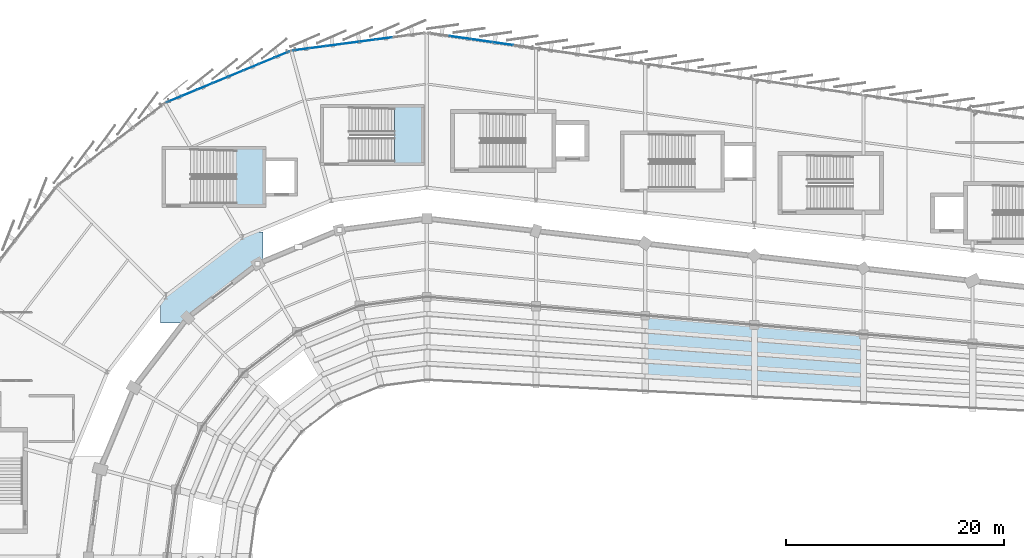
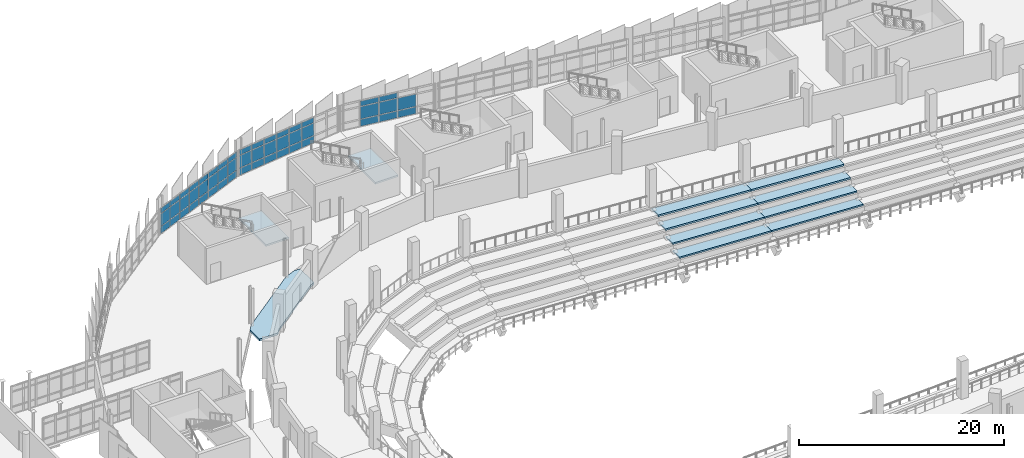
# One storey, part 94 of 134: 50 plates, 11 slabs, 5 elements without a shape of their own.
"""IFC4 building model written with IfcOpenShell, lengths in metres."""

import ifcopenshell
import ifcopenshell.guid

model = None  # the IFC model being written
_history = None  # IfcOwnerHistory: only IFC2X3 demands one
_inside = {}  # id of a spatial element -> (the spatial element, [elements in it])
_under = {}  # id of a project, library or spatial element -> (it, [spatial elements below it])
_declared = {}  # id of a project -> (the project, [libraries it declares])
_typed = {}  # id of a type object -> (the type object, [elements of that type])
_made_of = {}  # id of a material, layer set ... -> (it, [elements and type objects made of it])


def new_model(schema):
    """Start an empty IFC model of exactly this schema.

    Asked for "IFC4X3", IfcOpenShell would pick the latest addendum, in which some entities
    have other attributes; the version numbers below select the first issue.
    IFC2X3 requires an IfcOwnerHistory on every rooted entity: one is made here for all.
    """
    global model, _history
    if schema == "IFC4X3":
        model = ifcopenshell.file(schema_version=(4, 3, 0, 0))
    else:
        model = ifcopenshell.file(schema=schema)
    _inside.clear()
    _under.clear()
    _declared.clear()
    _typed.clear()
    _made_of.clear()
    _history = None
    if model.schema == "IFC2X3":
        org = make("IfcOrganization", Name="unknown")
        user = make(
            "IfcPersonAndOrganization",
            ThePerson=make("IfcPerson", FamilyName="unknown"),
            TheOrganization=org,
        )
        app = make(
            "IfcApplication",
            ApplicationDeveloper=org,
            Version="unknown",
            ApplicationFullName="unknown",
            ApplicationIdentifier="unknown",
        )
        _history = make(
            "IfcOwnerHistory",
            OwningUser=user,
            OwningApplication=app,
            ChangeAction="ADDED",
            CreationDate=0,
        )
    return model


def make(cls, **values):
    """One entity of the class cls with the attributes given. An attribute that is None is left unset."""
    return model.create_entity(
        cls, **{name: value for name, value in values.items() if value is not None}
    )


def rooted(cls, **values):
    """An entity with a GlobalId (a new one), such as an element, a storey or a relation."""
    return make(cls, GlobalId=ifcopenshell.guid.new(), OwnerHistory=_history, **values)


def si_unit(unit_type, name, prefix=None):
    """IfcSIUnit, for example si_unit("LENGTHUNIT", "METRE", prefix="MILLI")."""
    return make("IfcSIUnit", UnitType=unit_type, Prefix=prefix, Name=name)


def assignment(units):
    """IfcUnitAssignment: the units of a project."""
    return None if units is None else make("IfcUnitAssignment", Units=units)


def point(xyz):
    """IfcCartesianPoint."""
    return None if xyz is None else make("IfcCartesianPoint", Coordinates=xyz)


def direction(xyz):
    """IfcDirection."""
    return None if xyz is None else make("IfcDirection", DirectionRatios=xyz)


def frame(location, z_axis=None, x_axis=None):
    """IfcAxis2Placement3D, a coordinate frame: its origin and axes. An axis left out is left unset."""
    return make(
        "IfcAxis2Placement3D",
        Location=point(location),
        Axis=direction(z_axis),
        RefDirection=direction(x_axis),
    )


def frame_2d(location, x_axis=None):
    """IfcAxis2Placement2D, a coordinate frame in the plane: its origin and x axis."""
    return make(
        "IfcAxis2Placement2D", Location=point(location), RefDirection=direction(x_axis)
    )


def origin():
    """The frame at (0, 0, 0) with its axes left unset."""
    return frame((0.0, 0.0, 0.0))


def origin_2d():
    """The frame at (0, 0) in the plane with its x axis left unset."""
    return frame_2d((0.0, 0.0))


def place(relative_to, where):
    """IfcLocalPlacement: puts the frame where relative to a parent placement (None: the world)."""
    return make(
        "IfcLocalPlacement", PlacementRelTo=relative_to, RelativePlacement=where
    )


def context(
    kind, dimensions, precision=None, world=None, true_north=None, identifier=None
):
    """IfcGeometricRepresentationContext, for example the 3D "Model" context."""
    return make(
        "IfcGeometricRepresentationContext",
        ContextIdentifier=identifier,
        ContextType=kind,
        CoordinateSpaceDimension=dimensions,
        Precision=precision,
        WorldCoordinateSystem=world,
        TrueNorth=true_north,
    )


def subcontext(parent, identifier, kind, view, scale=None):
    """IfcGeometricRepresentationSubContext, for example "Body" below "Model"."""
    return make(
        "IfcGeometricRepresentationSubContext",
        ContextIdentifier=identifier,
        ContextType=kind,
        ParentContext=parent,
        TargetScale=scale,
        TargetView=view,
    )


def project(units=None, contexts=None):
    """IfcProject with its units and contexts."""
    return rooted(
        "IfcProject",
        Name="project",
        RepresentationContexts=contexts,
        UnitsInContext=assignment(units),
    )


def spatial(cls, under=None, at=None, **own):
    """A site, building, storey or space (cls), placed at a placement, below another one or the project."""
    s = rooted(cls, ObjectPlacement=at, **own)
    if under is not None:
        _under.setdefault(under.id(), (under, []))[1].append(s)
    return s


def polyline(points):
    """IfcPolyline through the points."""
    return make("IfcPolyline", Points=[point(p) for p in points])


def profile(cls, at=None, kind="AREA", **sizes):
    """A parametric profile (cls). Its sizes go by their IFC names, for example OverallWidth=200.0."""
    return make(cls, ProfileType=kind, Position=at, **sizes)


def rectangle(**sizes):
    """IfcRectangleProfileDef."""
    return profile("IfcRectangleProfileDef", **sizes)


def outline(outer, holes=None, kind="AREA"):
    """IfcArbitraryClosedProfileDef: a profile drawn as a closed curve; with holes, ...WithVoids."""
    if holes is None:
        return make("IfcArbitraryClosedProfileDef", ProfileType=kind, OuterCurve=outer)
    return make(
        "IfcArbitraryProfileDefWithVoids",
        ProfileType=kind,
        OuterCurve=outer,
        InnerCurves=holes,
    )


def extrude(swept, where, along, depth):
    """IfcExtrudedAreaSolid: the profile swept, set in the frame where, extruded along a direction by depth."""
    return make(
        "IfcExtrudedAreaSolid",
        SweptArea=swept,
        Position=where,
        ExtrudedDirection=direction(along),
        Depth=depth,
    )


def shape(context_of_items, identifier, shape_type, items):
    """IfcShapeRepresentation: the items that make up one representation, for example the "Body"."""
    return make(
        "IfcShapeRepresentation",
        ContextOfItems=context_of_items,
        RepresentationIdentifier=identifier,
        RepresentationType=shape_type,
        Items=items,
    )


def material(Name=None, Category=None):
    """IfcMaterial."""
    return make("IfcMaterial", Name=Name, Category=Category)


def layer(
    of_material, thickness, ventilated=None, Name=None, Category=None, Priority=None
):
    """IfcMaterialLayer: one layer of a wall or slab, of a material (None: an air gap)."""
    return make(
        "IfcMaterialLayer",
        Material=of_material,
        LayerThickness=thickness,
        IsVentilated=ventilated,
        Name=Name,
        Category=Category,
        Priority=Priority,
    )


def layer_set(layers, Name=None):
    """IfcMaterialLayerSet."""
    return make("IfcMaterialLayerSet", MaterialLayers=layers, LayerSetName=Name)


def made_of(thing, what):
    """Note that an element or type object is made of a material, layer set ...; save() writes the relation."""
    if what is not None:
        _made_of.setdefault(what.id(), (what, []))[1].append(thing)
    return thing


def type_object(cls, material=None, **own):
    """A type object (cls), such as IfcWallType, which elements share."""
    return made_of(rooted(cls, **own), material)


def element(
    cls,
    number,
    at=None,
    inside=None,
    cuts=None,
    type_object=None,
    material=None,
    context=None,
    identifier="Body",
    shape_type=None,
    held_by="IfcProductDefinitionShape",
    body=None,
    shapes=None,
    **own,
):
    """One element of the class cls, such as IfcWall. Its Tag is "e" and its number.

    at: its placement. inside: the storey or other place that contains it. cuts: it is an
    opening in that element (IfcRelVoidsElement). A single representation is given by context,
    identifier, shape_type and body (its items); several are given by shapes. held_by: the class
    of the entity that holds the representations. save() writes the other relations.
    """
    e = rooted(cls, Tag="e%d" % number, ObjectPlacement=at, **own)
    if body is not None:
        shapes = [shape(context, identifier, shape_type, body)]
    if shapes is not None:
        e.Representation = make(held_by, Representations=shapes)
    if inside is not None:
        _inside.setdefault(inside.id(), (inside, []))[1].append(e)
    if cuts is not None:
        rooted(
            "IfcRelVoidsElement", RelatingBuildingElement=cuts, RelatedOpeningElement=e
        )
    if type_object is not None:
        _typed.setdefault(type_object.id(), (type_object, []))[1].append(e)
    return made_of(e, material)


def aggregate(whole, parts):
    """IfcRelAggregates: a whole, such as a stair, and the parts it consists of."""
    return rooted("IfcRelAggregates", RelatingObject=whole, RelatedObjects=parts)


def save(model, path):
    """Write the relations noted so far, then the file.

    IfcRelAggregates (storeys below a building ...), IfcRelContainedInSpatialStructure (elements
    in a storey), IfcRelDefinesByType, IfcRelAssociatesMaterial and IfcRelDeclares: one each for
    every whole, place, type object, material and project.
    """
    for whole, parts in _under.values():
        aggregate(whole, parts)
    for where, things in _inside.values():
        rooted(
            "IfcRelContainedInSpatialStructure",
            RelatedElements=things,
            RelatingStructure=where,
        )
    for kind, things in _typed.values():
        rooted("IfcRelDefinesByType", RelatedObjects=things, RelatingType=kind)
    for what, things in _made_of.values():
        rooted("IfcRelAssociatesMaterial", RelatedObjects=things, RelatingMaterial=what)
    for by, libraries in _declared.values():
        rooted("IfcRelDeclares", RelatingContext=by, RelatedDefinitions=libraries)
    model.write(path)


model = new_model("IFC4")

# Units and contexts
model_context = context("Model", 3, precision=1e-05, world=origin(), true_north=direction((0.0, 1.0)))
body_context = subcontext(model_context, "Body", "Model", "MODEL_VIEW")
ifc_project = project(units=[si_unit("LENGTHUNIT", "METRE"), si_unit("AREAUNIT", "SQUARE_METRE"), si_unit("VOLUMEUNIT", "CUBIC_METRE"), si_unit("PLANEANGLEUNIT", "RADIAN"), si_unit("MASSUNIT", "GRAM", prefix="KILO")], contexts=[model_context])

# Site, building, storey
site_placement = place(None, origin())
site = spatial("IfcSite", under=ifc_project, at=site_placement, CompositionType="ELEMENT")
building_placement = place(site_placement, origin())
building = spatial("IfcBuilding", under=site, at=building_placement, Name="Sohan Crest Arena", CompositionType="ELEMENT")
storey_placement = place(building_placement, frame((0.0, 0.0, 4.5)))
storey = spatial("IfcBuildingStorey", under=building, at=storey_placement, Name="L01", CompositionType="ELEMENT", Elevation=4.5)

# Curtain wall, plates
ifc_material_1 = material(Name="Thermally broken anodised aluminium", Category="aluminium")
ifc_layer_1 = layer(ifc_material_1, 0.179931640625, Name="Thermally broken anodised aluminium")
ifc_layer_set_1 = layer_set([ifc_layer_1], Name="Thermally broken anodised aluminium")
curtain_wall_type_1 = type_object("IfcCurtainWallType", Name="ARC-CW01", PredefinedType="NOTDEFINED", material=ifc_layer_set_1)
curtain_wall_1_placement = place(storey_placement, origin())
curtain_wall_1 = element("IfcCurtainWall", 1, at=curtain_wall_1_placement, inside=storey, type_object=curtain_wall_type_1, Name="Unitised curtain wall CW-020", PredefinedType="NOTDEFINED")
ifc_material_2 = material(Name="Low-E double-glazed insulated glass", Category="glass")
ifc_layer_2 = layer(ifc_material_2, 0.028076171875, Name="Low-E double-glazed insulated glass")
ifc_layer_set_2 = layer_set([ifc_layer_2], Name="Low-E double-glazed insulated glass")
plate_type_1 = type_object("IfcPlateType", Name="ARC-CNP01", PredefinedType="CURTAIN_PANEL", material=ifc_layer_set_2)
plate_1_placement = place(storey_placement, frame((94.0693359375, 125.482421875, 0.06005859375), z_axis=(0.0, 0.0, 1.0), x_axis=(-0.991440142438, -0.130562031094, 0.0)))
plate_1 = element("IfcPlate", 2, at=plate_1_placement, type_object=plate_type_1, Name="CW-020 panel 3.1", PredefinedType="CURTAIN_PANEL", context=body_context, shape_type="SweptSolid", body=[
    extrude(rectangle(XDim=1.4736328125, YDim=0.028076171875, at=origin_2d()), origin(), (0.0, 0.0, 1.0), 0.81005859375),
])
plate_2_placement = place(storey_placement, frame((94.0693359375, 125.482421875, 0.929931640625), z_axis=(0.0, 0.0, 1.0), x_axis=(-0.991440142438, -0.130562031094, 0.0)))
plate_2 = element("IfcPlate", 3, at=plate_2_placement, type_object=plate_type_1, Name="CW-020 panel 3.2", PredefinedType="CURTAIN_PANEL", context=body_context, shape_type="SweptSolid", body=[
    extrude(rectangle(XDim=1.4736328125, YDim=0.028076171875, at=origin_2d()), origin(), (0.0, 0.0, 1.0), 1.4599609375),
])
plate_3_placement = place(storey_placement, frame((94.0693359375, 125.482421875, 2.44970703125), z_axis=(0.0, 0.0, 1.0), x_axis=(-0.991440142438, -0.130562031094, 0.0)))
plate_3 = element("IfcPlate", 4, at=plate_3_placement, type_object=plate_type_1, Name="CW-020 panel 3.3", PredefinedType="CURTAIN_PANEL", context=body_context, shape_type="SweptSolid", body=[
    extrude(rectangle(XDim=1.4736328125, YDim=0.028076171875, at=origin_2d()), origin(), (0.0, 0.0, 1.0), 0.610107421875),
])
plate_4_placement = place(storey_placement, frame((92.548828125, 125.2822265625, 0.06005859375), z_axis=(0.0, 0.0, 1.0), x_axis=(-0.991440142438, -0.130562031094, 0.0)))
plate_4 = element("IfcPlate", 5, at=plate_4_placement, type_object=plate_type_1, Name="CW-020 panel 4.1", PredefinedType="CURTAIN_PANEL", context=body_context, shape_type="SweptSolid", body=[
    extrude(rectangle(XDim=1.4736328125, YDim=0.028076171875, at=origin_2d()), origin(), (0.0, 0.0, 1.0), 0.81005859375),
])
plate_5_placement = place(storey_placement, frame((92.548828125, 125.2822265625, 0.929931640625), z_axis=(0.0, 0.0, 1.0), x_axis=(-0.991440142438, -0.130562031094, 0.0)))
plate_5 = element("IfcPlate", 6, at=plate_5_placement, type_object=plate_type_1, Name="CW-020 panel 4.2", PredefinedType="CURTAIN_PANEL", context=body_context, shape_type="SweptSolid", body=[
    extrude(rectangle(XDim=1.4736328125, YDim=0.028076171875, at=origin_2d()), origin(), (0.0, 0.0, 1.0), 1.4599609375),
])
plate_6_placement = place(storey_placement, frame((92.548828125, 125.2822265625, 2.44970703125), z_axis=(0.0, 0.0, 1.0), x_axis=(-0.991440142438, -0.130562031094, 0.0)))
plate_6 = element("IfcPlate", 7, at=plate_6_placement, type_object=plate_type_1, Name="CW-020 panel 4.3", PredefinedType="CURTAIN_PANEL", context=body_context, shape_type="SweptSolid", body=[
    extrude(rectangle(XDim=1.4736328125, YDim=0.028076171875, at=origin_2d()), origin(), (0.0, 0.0, 1.0), 0.610107421875),
])
plate_7_placement = place(storey_placement, frame((91.028076171875, 125.081787109375, 0.06005859375), z_axis=(0.0, 0.0, 1.0), x_axis=(-0.991440142438, -0.130562031094, 0.0)))
plate_7 = element("IfcPlate", 8, at=plate_7_placement, type_object=plate_type_1, Name="CW-020 panel 5.1", PredefinedType="CURTAIN_PANEL", context=body_context, shape_type="SweptSolid", body=[
    extrude(rectangle(XDim=1.4736328125, YDim=0.028076171875, at=origin_2d()), origin(), (0.0, 0.0, 1.0), 0.81005859375),
])
plate_8_placement = place(storey_placement, frame((91.028076171875, 125.081787109375, 0.929931640625), z_axis=(0.0, 0.0, 1.0), x_axis=(-0.991440142438, -0.130562031094, 0.0)))
plate_8 = element("IfcPlate", 9, at=plate_8_placement, type_object=plate_type_1, Name="CW-020 panel 5.2", PredefinedType="CURTAIN_PANEL", context=body_context, shape_type="SweptSolid", body=[
    extrude(rectangle(XDim=1.4736328125, YDim=0.028076171875, at=origin_2d()), origin(), (0.0, 0.0, 1.0), 1.4599609375),
])
plate_9_placement = place(storey_placement, frame((91.028076171875, 125.081787109375, 2.44970703125), z_axis=(0.0, 0.0, 1.0), x_axis=(-0.991440142438, -0.130562031094, 0.0)))
plate_9 = element("IfcPlate", 10, at=plate_9_placement, type_object=plate_type_1, Name="CW-020 panel 5.3", PredefinedType="CURTAIN_PANEL", context=body_context, shape_type="SweptSolid", body=[
    extrude(rectangle(XDim=1.4736328125, YDim=0.028076171875, at=origin_2d()), origin(), (0.0, 0.0, 1.0), 0.610107421875),
])
plate_10_placement = place(storey_placement, frame((89.507568359375, 124.881591796875, 0.06005859375), z_axis=(0.0, 0.0, 1.0), x_axis=(-0.991440142438, -0.130562031094, 0.0)))
plate_10 = element("IfcPlate", 11, at=plate_10_placement, type_object=plate_type_1, Name="CW-020 panel 6.1", PredefinedType="CURTAIN_PANEL", context=body_context, shape_type="SweptSolid", body=[
    extrude(rectangle(XDim=1.4736328125, YDim=0.028076171875, at=origin_2d()), origin(), (0.0, 0.0, 1.0), 0.81005859375),
])
plate_11_placement = place(storey_placement, frame((89.507568359375, 124.881591796875, 0.929931640625), z_axis=(0.0, 0.0, 1.0), x_axis=(-0.991440142438, -0.130562031094, 0.0)))
plate_11 = element("IfcPlate", 12, at=plate_11_placement, type_object=plate_type_1, Name="CW-020 panel 6.2", PredefinedType="CURTAIN_PANEL", context=body_context, shape_type="SweptSolid", body=[
    extrude(rectangle(XDim=1.4736328125, YDim=0.028076171875, at=origin_2d()), origin(), (0.0, 0.0, 1.0), 1.4599609375),
])
plate_12_placement = place(storey_placement, frame((89.507568359375, 124.881591796875, 2.44970703125), z_axis=(0.0, 0.0, 1.0), x_axis=(-0.991440142438, -0.130562031094, 0.0)))
plate_12 = element("IfcPlate", 13, at=plate_12_placement, type_object=plate_type_1, Name="CW-020 panel 6.3", PredefinedType="CURTAIN_PANEL", context=body_context, shape_type="SweptSolid", body=[
    extrude(rectangle(XDim=1.4736328125, YDim=0.028076171875, at=origin_2d()), origin(), (0.0, 0.0, 1.0), 0.610107421875),
])
plate_13_placement = place(storey_placement, frame((87.98681640625, 124.681396484375, 0.06005859375), z_axis=(0.0, 0.0, 1.0), x_axis=(-0.991440142438, -0.130562031094, 0.0)))
plate_13 = element("IfcPlate", 14, at=plate_13_placement, type_object=plate_type_1, Name="CW-020 panel 7.1", PredefinedType="CURTAIN_PANEL", context=body_context, shape_type="SweptSolid", body=[
    extrude(rectangle(XDim=1.4736328125, YDim=0.028076171875, at=origin_2d()), origin(), (0.0, 0.0, 1.0), 0.81005859375),
])
plate_14_placement = place(storey_placement, frame((87.98681640625, 124.681396484375, 0.929931640625), z_axis=(0.0, 0.0, 1.0), x_axis=(-0.991440142438, -0.130562031094, 0.0)))
plate_14 = element("IfcPlate", 15, at=plate_14_placement, type_object=plate_type_1, Name="CW-020 panel 7.2", PredefinedType="CURTAIN_PANEL", context=body_context, shape_type="SweptSolid", body=[
    extrude(rectangle(XDim=1.4736328125, YDim=0.028076171875, at=origin_2d()), origin(), (0.0, 0.0, 1.0), 1.4599609375),
])
plate_15_placement = place(storey_placement, frame((87.98681640625, 124.681396484375, 2.44970703125), z_axis=(0.0, 0.0, 1.0), x_axis=(-0.991440142438, -0.130562031094, 0.0)))
plate_15 = element("IfcPlate", 16, at=plate_15_placement, type_object=plate_type_1, Name="CW-020 panel 7.3", PredefinedType="CURTAIN_PANEL", context=body_context, shape_type="SweptSolid", body=[
    extrude(rectangle(XDim=1.4736328125, YDim=0.028076171875, at=origin_2d()), origin(), (0.0, 0.0, 1.0), 0.610107421875),
])
plate_16_placement = place(storey_placement, frame((86.481201171875, 124.483154296875, 0.06005859375), z_axis=(0.0, 0.0, 1.0), x_axis=(-0.991440142438, -0.130562031094, 0.0)))
plate_16 = element("IfcPlate", 17, at=plate_16_placement, type_object=plate_type_1, Name="CW-020 panel 8.1", PredefinedType="CURTAIN_PANEL", context=body_context, shape_type="SweptSolid", body=[
    extrude(rectangle(XDim=1.44384765625, YDim=0.028076171875, at=origin_2d()), origin(), (0.0, 0.0, 1.0), 0.81005859375),
])
plate_17_placement = place(storey_placement, frame((86.481201171875, 124.483154296875, 0.929931640625), z_axis=(0.0, 0.0, 1.0), x_axis=(-0.991440142438, -0.130562031094, 0.0)))
plate_17 = element("IfcPlate", 18, at=plate_17_placement, type_object=plate_type_1, Name="CW-020 panel 8.2", PredefinedType="CURTAIN_PANEL", context=body_context, shape_type="SweptSolid", body=[
    extrude(rectangle(XDim=1.44384765625, YDim=0.028076171875, at=origin_2d()), origin(), (0.0, 0.0, 1.0), 1.4599609375),
])
plate_18_placement = place(storey_placement, frame((86.481201171875, 124.483154296875, 2.44970703125), z_axis=(0.0, 0.0, 1.0), x_axis=(-0.991440142438, -0.130562031094, 0.0)))
plate_18 = element("IfcPlate", 19, at=plate_18_placement, type_object=plate_type_1, Name="CW-020 panel 8.3", PredefinedType="CURTAIN_PANEL", context=body_context, shape_type="SweptSolid", body=[
    extrude(rectangle(XDim=1.44384765625, YDim=0.028076171875, at=origin_2d()), origin(), (0.0, 0.0, 1.0), 0.610107421875),
])
aggregate(curtain_wall_1, [plate_1, plate_2, plate_3, plate_4, plate_5, plate_6, plate_7, plate_8, plate_9, plate_10, plate_11, plate_12, plate_13, plate_14, plate_15, plate_16, plate_17, plate_18])

ifc_layer_3 = layer(ifc_material_1, 0.199951171875, Name="Thermally broken anodised aluminium")
ifc_layer_set_3 = layer_set([ifc_layer_3], Name="Thermally broken anodised aluminium")
curtain_wall_type_2 = type_object("IfcCurtainWallType", Name="ARC-CW02", PredefinedType="NOTDEFINED", material=ifc_layer_set_3)
curtain_wall_2_placement = place(storey_placement, origin())
curtain_wall_2 = element("IfcCurtainWall", 20, at=curtain_wall_2_placement, inside=storey, type_object=curtain_wall_type_2, Name="Unitised curtain wall CW-021", PredefinedType="NOTDEFINED")
ifc_layer_4 = layer(ifc_material_2, 0.031982421875, Name="Low-E double-glazed insulated glass")
ifc_layer_set_4 = layer_set([ifc_layer_4], Name="Low-E double-glazed insulated glass")
plate_type_2 = type_object("IfcPlateType", Name="ARC-CNP02", PredefinedType="CURTAIN_PANEL", material=ifc_layer_set_4)
plate_19_placement = place(storey_placement, frame((84.7333984375, 124.014404296875, 0.06494140625), z_axis=(0.0, 0.0, 1.0), x_axis=(-0.923906589897, -0.382618103525, 0.0)))
plate_19 = element("IfcPlate", 21, at=plate_19_placement, type_object=plate_type_2, Name="CW-021 panel 1.1", PredefinedType="CURTAIN_PANEL", context=body_context, shape_type="SweptSolid", body=[
    extrude(rectangle(XDim=1.436279296875, YDim=0.031982421875, at=origin_2d()), origin(), (0.0, 0.0, 1.0), 0.802490234375),
])
plate_20_placement = place(storey_placement, frame((84.7333984375, 124.014404296875, 0.932373046875), z_axis=(0.0, 0.0, 1.0), x_axis=(-0.923906589897, -0.382618103525, 0.0)))
plate_20 = element("IfcPlate", 22, at=plate_20_placement, type_object=plate_type_2, Name="CW-021 panel 1.2", PredefinedType="CURTAIN_PANEL", context=body_context, shape_type="SweptSolid", body=[
    extrude(rectangle(XDim=1.436279296875, YDim=0.031982421875, at=origin_2d()), origin(), (0.0, 0.0, 1.0), 1.455078125),
])
plate_21_placement = place(storey_placement, frame((84.7333984375, 124.014404296875, 2.452392578125), z_axis=(0.0, 0.0, 1.0), x_axis=(-0.923906589897, -0.382618103525, 0.0)))
plate_21 = element("IfcPlate", 23, at=plate_21_placement, type_object=plate_type_2, Name="CW-021 panel 1.3", PredefinedType="CURTAIN_PANEL", context=body_context, shape_type="SweptSolid", body=[
    extrude(rectangle(XDim=1.436279296875, YDim=0.031982421875, at=origin_2d()), origin(), (0.0, 0.0, 1.0), 0.6025390625),
])
plate_22_placement = place(storey_placement, frame((83.331298828125, 123.43359375, 0.06494140625), z_axis=(0.0, 0.0, 1.0), x_axis=(-0.923906589897, -0.382618103525, 0.0)))
plate_22 = element("IfcPlate", 24, at=plate_22_placement, type_object=plate_type_2, Name="CW-021 panel 2.1", PredefinedType="CURTAIN_PANEL", context=body_context, shape_type="SweptSolid", body=[
    extrude(rectangle(XDim=1.46875, YDim=0.031982421875, at=origin_2d()), origin(), (0.0, 0.0, 1.0), 0.802490234375),
])
plate_23_placement = place(storey_placement, frame((83.331298828125, 123.43359375, 0.932373046875), z_axis=(0.0, 0.0, 1.0), x_axis=(-0.923906589897, -0.382618103525, 0.0)))
plate_23 = element("IfcPlate", 25, at=plate_23_placement, type_object=plate_type_2, Name="CW-021 panel 2.2", PredefinedType="CURTAIN_PANEL", context=body_context, shape_type="SweptSolid", body=[
    extrude(rectangle(XDim=1.46875, YDim=0.031982421875, at=origin_2d()), origin(), (0.0, 0.0, 1.0), 1.455078125),
])
plate_24_placement = place(storey_placement, frame((83.331298828125, 123.43359375, 2.452392578125), z_axis=(0.0, 0.0, 1.0), x_axis=(-0.923906589897, -0.382618103525, 0.0)))
plate_24 = element("IfcPlate", 26, at=plate_24_placement, type_object=plate_type_2, Name="CW-021 panel 2.3", PredefinedType="CURTAIN_PANEL", context=body_context, shape_type="SweptSolid", body=[
    extrude(rectangle(XDim=1.46875, YDim=0.031982421875, at=origin_2d()), origin(), (0.0, 0.0, 1.0), 0.6025390625),
])
plate_25_placement = place(storey_placement, frame((81.914306640625, 122.846923828125, 0.06494140625), z_axis=(0.0, 0.0, 1.0), x_axis=(-0.923906589897, -0.382618103525, 0.0)))
plate_25 = element("IfcPlate", 27, at=plate_25_placement, type_object=plate_type_2, Name="CW-021 panel 3.1", PredefinedType="CURTAIN_PANEL", context=body_context, shape_type="SweptSolid", body=[
    extrude(rectangle(XDim=1.46875, YDim=0.031982421875, at=origin_2d()), origin(), (0.0, 0.0, 1.0), 0.802490234375),
])
plate_26_placement = place(storey_placement, frame((81.914306640625, 122.846923828125, 0.932373046875), z_axis=(0.0, 0.0, 1.0), x_axis=(-0.923906589897, -0.382618103525, 0.0)))
plate_26 = element("IfcPlate", 28, at=plate_26_placement, type_object=plate_type_2, Name="CW-021 panel 3.2", PredefinedType="CURTAIN_PANEL", context=body_context, shape_type="SweptSolid", body=[
    extrude(rectangle(XDim=1.46875, YDim=0.031982421875, at=origin_2d()), origin(), (0.0, 0.0, 1.0), 1.455078125),
])
plate_27_placement = place(storey_placement, frame((81.914306640625, 122.846923828125, 2.452392578125), z_axis=(0.0, 0.0, 1.0), x_axis=(-0.923906589897, -0.382618103525, 0.0)))
plate_27 = element("IfcPlate", 29, at=plate_27_placement, type_object=plate_type_2, Name="CW-021 panel 3.3", PredefinedType="CURTAIN_PANEL", context=body_context, shape_type="SweptSolid", body=[
    extrude(rectangle(XDim=1.46875, YDim=0.031982421875, at=origin_2d()), origin(), (0.0, 0.0, 1.0), 0.6025390625),
])
plate_28_placement = place(storey_placement, frame((80.4970703125, 122.260009765625, 0.06494140625), z_axis=(0.0, 0.0, 1.0), x_axis=(-0.923906589897, -0.382618103525, 0.0)))
plate_28 = element("IfcPlate", 30, at=plate_28_placement, type_object=plate_type_2, Name="CW-021 panel 4.1", PredefinedType="CURTAIN_PANEL", context=body_context, shape_type="SweptSolid", body=[
    extrude(rectangle(XDim=1.46875, YDim=0.031982421875, at=origin_2d()), origin(), (0.0, 0.0, 1.0), 0.802490234375),
])
plate_29_placement = place(storey_placement, frame((80.4970703125, 122.260009765625, 0.932373046875), z_axis=(0.0, 0.0, 1.0), x_axis=(-0.923906589897, -0.382618103525, 0.0)))
plate_29 = element("IfcPlate", 31, at=plate_29_placement, type_object=plate_type_2, Name="CW-021 panel 4.2", PredefinedType="CURTAIN_PANEL", context=body_context, shape_type="SweptSolid", body=[
    extrude(rectangle(XDim=1.46875, YDim=0.031982421875, at=origin_2d()), origin(), (0.0, 0.0, 1.0), 1.455078125),
])
plate_30_placement = place(storey_placement, frame((80.4970703125, 122.260009765625, 2.452392578125), z_axis=(0.0, 0.0, 1.0), x_axis=(-0.923906589897, -0.382618103525, 0.0)))
plate_30 = element("IfcPlate", 32, at=plate_30_placement, type_object=plate_type_2, Name="CW-021 panel 4.3", PredefinedType="CURTAIN_PANEL", context=body_context, shape_type="SweptSolid", body=[
    extrude(rectangle(XDim=1.46875, YDim=0.031982421875, at=origin_2d()), origin(), (0.0, 0.0, 1.0), 0.6025390625),
])
plate_31_placement = place(storey_placement, frame((79.079833984375, 121.673095703125, 0.06494140625), z_axis=(0.0, 0.0, 1.0), x_axis=(-0.923906589897, -0.382618103525, 0.0)))
plate_31 = element("IfcPlate", 33, at=plate_31_placement, type_object=plate_type_2, Name="CW-021 panel 5.1", PredefinedType="CURTAIN_PANEL", context=body_context, shape_type="SweptSolid", body=[
    extrude(rectangle(XDim=1.46875, YDim=0.031982421875, at=origin_2d()), origin(), (0.0, 0.0, 1.0), 0.802490234375),
])
plate_32_placement = place(storey_placement, frame((79.079833984375, 121.673095703125, 0.932373046875), z_axis=(0.0, 0.0, 1.0), x_axis=(-0.923906589897, -0.382618103525, 0.0)))
plate_32 = element("IfcPlate", 34, at=plate_32_placement, type_object=plate_type_2, Name="CW-021 panel 5.2", PredefinedType="CURTAIN_PANEL", context=body_context, shape_type="SweptSolid", body=[
    extrude(rectangle(XDim=1.46875, YDim=0.031982421875, at=origin_2d()), origin(), (0.0, 0.0, 1.0), 1.455078125),
])
plate_33_placement = place(storey_placement, frame((79.079833984375, 121.673095703125, 2.452392578125), z_axis=(0.0, 0.0, 1.0), x_axis=(-0.923906589897, -0.382618103525, 0.0)))
plate_33 = element("IfcPlate", 35, at=plate_33_placement, type_object=plate_type_2, Name="CW-021 panel 5.3", PredefinedType="CURTAIN_PANEL", context=body_context, shape_type="SweptSolid", body=[
    extrude(rectangle(XDim=1.46875, YDim=0.031982421875, at=origin_2d()), origin(), (0.0, 0.0, 1.0), 0.6025390625),
])
plate_34_placement = place(storey_placement, frame((77.662841796875, 121.086181640625, 0.06494140625), z_axis=(0.0, 0.0, 1.0), x_axis=(-0.923906589897, -0.382618103525, 0.0)))
plate_34 = element("IfcPlate", 36, at=plate_34_placement, type_object=plate_type_2, Name="CW-021 panel 6.1", PredefinedType="CURTAIN_PANEL", context=body_context, shape_type="SweptSolid", body=[
    extrude(rectangle(XDim=1.46875, YDim=0.031982421875, at=origin_2d()), origin(), (0.0, 0.0, 1.0), 0.802490234375),
])
plate_35_placement = place(storey_placement, frame((77.662841796875, 121.086181640625, 0.932373046875), z_axis=(0.0, 0.0, 1.0), x_axis=(-0.923906589897, -0.382618103525, 0.0)))
plate_35 = element("IfcPlate", 37, at=plate_35_placement, type_object=plate_type_2, Name="CW-021 panel 6.2", PredefinedType="CURTAIN_PANEL", context=body_context, shape_type="SweptSolid", body=[
    extrude(rectangle(XDim=1.46875, YDim=0.031982421875, at=origin_2d()), origin(), (0.0, 0.0, 1.0), 1.455078125),
])
plate_36_placement = place(storey_placement, frame((77.662841796875, 121.086181640625, 2.452392578125), z_axis=(0.0, 0.0, 1.0), x_axis=(-0.923906589897, -0.382618103525, 0.0)))
plate_36 = element("IfcPlate", 38, at=plate_36_placement, type_object=plate_type_2, Name="CW-021 panel 6.3", PredefinedType="CURTAIN_PANEL", context=body_context, shape_type="SweptSolid", body=[
    extrude(rectangle(XDim=1.46875, YDim=0.031982421875, at=origin_2d()), origin(), (0.0, 0.0, 1.0), 0.6025390625),
])
plate_37_placement = place(storey_placement, frame((76.24560546875, 120.499267578125, 0.06494140625), z_axis=(0.0, 0.0, 1.0), x_axis=(-0.923906589897, -0.382618103525, 0.0)))
plate_37 = element("IfcPlate", 39, at=plate_37_placement, type_object=plate_type_2, Name="CW-021 panel 7.1", PredefinedType="CURTAIN_PANEL", context=body_context, shape_type="SweptSolid", body=[
    extrude(rectangle(XDim=1.46875, YDim=0.031982421875, at=origin_2d()), origin(), (0.0, 0.0, 1.0), 0.802490234375),
])
plate_38_placement = place(storey_placement, frame((76.24560546875, 120.499267578125, 0.932373046875), z_axis=(0.0, 0.0, 1.0), x_axis=(-0.923906589897, -0.382618103525, 0.0)))
plate_38 = element("IfcPlate", 40, at=plate_38_placement, type_object=plate_type_2, Name="CW-021 panel 7.2", PredefinedType="CURTAIN_PANEL", context=body_context, shape_type="SweptSolid", body=[
    extrude(rectangle(XDim=1.46875, YDim=0.031982421875, at=origin_2d()), origin(), (0.0, 0.0, 1.0), 1.455078125),
])
plate_39_placement = place(storey_placement, frame((76.24560546875, 120.499267578125, 2.452392578125), z_axis=(0.0, 0.0, 1.0), x_axis=(-0.923906589897, -0.382618103525, 0.0)))
plate_39 = element("IfcPlate", 41, at=plate_39_placement, type_object=plate_type_2, Name="CW-021 panel 7.3", PredefinedType="CURTAIN_PANEL", context=body_context, shape_type="SweptSolid", body=[
    extrude(rectangle(XDim=1.46875, YDim=0.031982421875, at=origin_2d()), origin(), (0.0, 0.0, 1.0), 0.6025390625),
])
plate_40_placement = place(storey_placement, frame((74.843505859375, 119.918701171875, 0.06494140625), z_axis=(0.0, 0.0, 1.0), x_axis=(-0.923906589897, -0.382618103525, 0.0)))
plate_40 = element("IfcPlate", 42, at=plate_40_placement, type_object=plate_type_2, Name="CW-021 panel 8.1", PredefinedType="CURTAIN_PANEL", context=body_context, shape_type="SweptSolid", body=[
    extrude(rectangle(XDim=1.436279296875, YDim=0.031982421875, at=origin_2d()), origin(), (0.0, 0.0, 1.0), 0.802490234375),
])
plate_41_placement = place(storey_placement, frame((74.843505859375, 119.918701171875, 0.932373046875), z_axis=(0.0, 0.0, 1.0), x_axis=(-0.923906589897, -0.382618103525, 0.0)))
plate_41 = element("IfcPlate", 43, at=plate_41_placement, type_object=plate_type_2, Name="CW-021 panel 8.2", PredefinedType="CURTAIN_PANEL", context=body_context, shape_type="SweptSolid", body=[
    extrude(rectangle(XDim=1.436279296875, YDim=0.031982421875, at=origin_2d()), origin(), (0.0, 0.0, 1.0), 1.455078125),
])
plate_42_placement = place(storey_placement, frame((74.843505859375, 119.918701171875, 2.452392578125), z_axis=(0.0, 0.0, 1.0), x_axis=(-0.923906589897, -0.382618103525, 0.0)))
plate_42 = element("IfcPlate", 44, at=plate_42_placement, type_object=plate_type_2, Name="CW-021 panel 8.3", PredefinedType="CURTAIN_PANEL", context=body_context, shape_type="SweptSolid", body=[
    extrude(rectangle(XDim=1.436279296875, YDim=0.031982421875, at=origin_2d()), origin(), (0.0, 0.0, 1.0), 0.6025390625),
])
aggregate(curtain_wall_2, [plate_19, plate_20, plate_21, plate_22, plate_23, plate_24, plate_25, plate_26, plate_27, plate_28, plate_29, plate_30, plate_31, plate_32, plate_33, plate_34, plate_35, plate_36, plate_37, plate_38, plate_39, plate_40, plate_41, plate_42])

ifc_layer_5 = layer(ifc_material_1, 0.239990234375, Name="Thermally broken anodised aluminium")
ifc_layer_set_5 = layer_set([ifc_layer_5], Name="Thermally broken anodised aluminium")
curtain_wall_type_3 = type_object("IfcCurtainWallType", Name="ARC-CW04", PredefinedType="NOTDEFINED", material=ifc_layer_set_5)
curtain_wall_3_placement = place(storey_placement, origin())
curtain_wall_3 = element("IfcCurtainWall", 45, at=curtain_wall_3_placement, inside=storey, type_object=curtain_wall_type_3, Name="Unitised curtain wall CW-049", PredefinedType="NOTDEFINED")
plate_43_placement = place(storey_placement, frame((104.948486328125, 125.0068359375, 0.06005859375), z_axis=(0.0, 0.0, 1.0), x_axis=(-0.989931194722, 0.141549389674, 0.0)))
plate_43 = element("IfcPlate", 46, at=plate_43_placement, type_object=plate_type_2, Name="CW-049 panel 2.1", PredefinedType="CURTAIN_PANEL", context=body_context, shape_type="SweptSolid", body=[
    extrude(rectangle(XDim=1.9033203125, YDim=0.031982421875, at=origin_2d()), origin(), (0.0, 0.0, 1.0), 0.81005859375),
])
plate_44_placement = place(storey_placement, frame((104.948486328125, 125.0068359375, 0.929931640625), z_axis=(0.0, 0.0, 1.0), x_axis=(-0.989931194722, 0.141549389674, 0.0)))
plate_44 = element("IfcPlate", 47, at=plate_44_placement, type_object=plate_type_2, Name="CW-049 panel 2.2", PredefinedType="CURTAIN_PANEL", context=body_context, shape_type="SweptSolid", body=[
    extrude(rectangle(XDim=1.9033203125, YDim=0.031982421875, at=origin_2d()), origin(), (0.0, 0.0, 1.0), 1.4599609375),
])
plate_45_placement = place(storey_placement, frame((103.0, 125.285400390625, 0.06005859375), z_axis=(0.0, 0.0, 1.0), x_axis=(-0.989931194722, 0.141549389674, 0.0)))
plate_45 = element("IfcPlate", 48, at=plate_45_placement, type_object=plate_type_2, Name="CW-049 panel 3.1", PredefinedType="CURTAIN_PANEL", context=body_context, shape_type="SweptSolid", body=[
    extrude(rectangle(XDim=1.9033203125, YDim=0.031982421875, at=origin_2d()), origin(), (0.0, 0.0, 1.0), 0.81005859375),
])
plate_46_placement = place(storey_placement, frame((103.0, 125.285400390625, 0.929931640625), z_axis=(0.0, 0.0, 1.0), x_axis=(-0.989931194722, 0.141549389674, 0.0)))
plate_46 = element("IfcPlate", 49, at=plate_46_placement, type_object=plate_type_2, Name="CW-049 panel 3.2", PredefinedType="CURTAIN_PANEL", context=body_context, shape_type="SweptSolid", body=[
    extrude(rectangle(XDim=1.9033203125, YDim=0.031982421875, at=origin_2d()), origin(), (0.0, 0.0, 1.0), 1.4599609375),
])
plate_47_placement = place(storey_placement, frame((103.0, 125.285400390625, 2.44970703125), z_axis=(0.0, 0.0, 1.0), x_axis=(-0.989931194722, 0.141549389674, 0.0)))
plate_47 = element("IfcPlate", 50, at=plate_47_placement, type_object=plate_type_2, Name="CW-049 panel 3.3", PredefinedType="CURTAIN_PANEL", context=body_context, shape_type="SweptSolid", body=[
    extrude(rectangle(XDim=1.9033203125, YDim=0.031982421875, at=origin_2d()), origin(), (0.0, 0.0, 1.0), 0.610107421875),
])
plate_48_placement = place(storey_placement, frame((101.051513671875, 125.564208984375, 0.06005859375), z_axis=(0.0, 0.0, 1.0), x_axis=(-0.989931194722, 0.141549389674, 0.0)))
plate_48 = element("IfcPlate", 51, at=plate_48_placement, type_object=plate_type_2, Name="CW-049 panel 4.1", PredefinedType="CURTAIN_PANEL", context=body_context, shape_type="SweptSolid", body=[
    extrude(rectangle(XDim=1.9033203125, YDim=0.031982421875, at=origin_2d()), origin(), (0.0, 0.0, 1.0), 0.81005859375),
])
plate_49_placement = place(storey_placement, frame((101.051513671875, 125.564208984375, 0.929931640625), z_axis=(0.0, 0.0, 1.0), x_axis=(-0.989931194722, 0.141549389674, 0.0)))
plate_49 = element("IfcPlate", 52, at=plate_49_placement, type_object=plate_type_2, Name="CW-049 panel 4.2", PredefinedType="CURTAIN_PANEL", context=body_context, shape_type="SweptSolid", body=[
    extrude(rectangle(XDim=1.9033203125, YDim=0.031982421875, at=origin_2d()), origin(), (0.0, 0.0, 1.0), 1.4599609375),
])
plate_50_placement = place(storey_placement, frame((101.051513671875, 125.564208984375, 2.44970703125), z_axis=(0.0, 0.0, 1.0), x_axis=(-0.989931194722, 0.141549389674, 0.0)))
plate_50 = element("IfcPlate", 53, at=plate_50_placement, type_object=plate_type_2, Name="CW-049 panel 4.3", PredefinedType="CURTAIN_PANEL", context=body_context, shape_type="SweptSolid", body=[
    extrude(rectangle(XDim=1.9033203125, YDim=0.031982421875, at=origin_2d()), origin(), (0.0, 0.0, 1.0), 0.610107421875),
])
aggregate(curtain_wall_3, [plate_43, plate_44, plate_45, plate_46, plate_47, plate_48, plate_49, plate_50])

# Slab
ifc_material_3 = material(Name="Concrete C40/50", Category="concrete")
ifc_layer_6 = layer(ifc_material_3, 0.25, Name="Concrete C40/50")
ifc_layer_set_6 = layer_set([ifc_layer_6], Name="Concrete C40/50")
slab_type_1 = type_object("IfcSlabType", Name="SL-FLR3", PredefinedType="FLOOR", material=ifc_layer_set_6)
slab_1_placement = place(storey_placement, frame((0.0, 0.0, -0.25)))
element("IfcSlab", 54, at=slab_1_placement, inside=storey, type_object=slab_type_1, Name="Seismic joint threshold slab L01 SL-TH-L01-02", PredefinedType="FLOOR", context=body_context, shape_type="SweptSolid", body=[
    extrude(outline(polyline([(74.10009765625, 101.89990234375), (81.10009765625, 107.27197265625), (82.306884765625, 107.77197265625), (83.0, 107.77197265625), (83.0, 105.053955078125), (82.5, 104.846923828125), (76.080078125, 99.919921875), (75.696044921875, 99.419921875), (73.60009765625, 99.419921875), (73.60009765625, 101.248046875), (74.10009765625, 101.89990234375)])), origin(), (0.0, 0.0, 1.0), 0.25),
])

# Stair, slab
stair_type_1 = type_object("IfcStairType", Name="ST-450", PredefinedType="TWO_STRAIGHT_RUN_STAIR", material=ifc_material_3)
stair_1_placement = place(storey_placement, origin())
stair_1 = element("IfcStair", 55, at=stair_1_placement, inside=storey, type_object=stair_type_1, Name="Protected exit stair ST04-L01", PredefinedType="TWO_STRAIGHT_RUN_STAIR")
ifc_layer_7 = layer(ifc_material_3, 0.199951171875, Name="Concrete C40/50")
ifc_layer_set_7 = layer_set([ifc_layer_7], Name="Concrete C40/50")
slab_type_2 = type_object("IfcSlabType", Name="SL-LND1", PredefinedType="LANDING", material=ifc_layer_set_7)
slab_2_placement = place(storey_placement, frame((0.0, 0.0, 2.050048828125)))
slab_2 = element("IfcSlab", 56, at=slab_2_placement, type_object=slab_type_2, Name="ST04-L01 landing 1", PredefinedType="LANDING", context=body_context, shape_type="SweptSolid", body=[
    extrude(outline(polyline([(80.530029296875, 110.14990234375), (83.10009765625, 110.14990234375), (83.10009765625, 115.449951171875), (80.530029296875, 115.449951171875), (80.530029296875, 110.14990234375)])), origin(), (0.0, 0.0, 1.0), 0.199951171875),
])
aggregate(stair_1, [slab_2])

stair_type_2 = type_object("IfcStairType", Name="ST-450W", PredefinedType="TWO_STRAIGHT_RUN_STAIR", material=ifc_material_3)
stair_2_placement = place(storey_placement, origin())
stair_2 = element("IfcStair", 57, at=stair_2_placement, inside=storey, type_object=stair_type_2, Name="Protected exit stair ST20-L01", PredefinedType="TWO_STRAIGHT_RUN_STAIR")
slab_3_placement = place(storey_placement, frame((0.0, 0.0, 2.050048828125)))
slab_3 = element("IfcSlab", 58, at=slab_3_placement, type_object=slab_type_2, Name="ST20-L01 landing 1", PredefinedType="LANDING", context=body_context, shape_type="SweptSolid", body=[
    extrude(outline(polyline([(95.030029296875, 113.989990234375), (97.60009765625, 113.989990234375), (97.60009765625, 119.2900390625), (95.030029296875, 119.2900390625), (95.030029296875, 113.989990234375)])), origin(), (0.0, 0.0, 1.0), 0.199951171875),
])
aggregate(stair_2, [slab_3])

# Slabs
ifc_material_4 = material(Name="Precast concrete C50/60", Category="concrete")
ifc_layer_8 = layer(ifc_material_4, 0.179931640625, Name="Precast concrete C50/60")
ifc_layer_set_8 = layer_set([ifc_layer_8], Name="Precast concrete C50/60")
slab_type_3 = type_object("IfcSlabType", Name="SL-TIER1", PredefinedType="USERDEFINED", material=ifc_layer_set_8)
slab_4_placement = place(storey_placement, frame((0.0, 0.0, -3.0458984375)))
element("IfcSlab", 59, at=slab_4_placement, inside=storey, type_object=slab_type_3, Name="Lower bowl precast seating tier ST-LOW-227", ObjectType="SEATING TIER", PredefinedType="USERDEFINED", context=body_context, shape_type="SweptSolid", body=[
    extrude(outline(polyline([(138.0, 93.388916015625), (128.0, 93.970947265625), (128.0, 95.23291015625), (138.0, 94.583984375), (138.0, 93.388916015625)])), origin(), (0.0, 0.0, 1.0), 0.179931640625),
])
slab_5_placement = place(storey_placement, frame((0.0, 0.0, -2.22607421875)))
element("IfcSlab", 60, at=slab_5_placement, inside=storey, type_object=slab_type_3, Name="Lower bowl precast seating tier ST-LOW-228", ObjectType="SEATING TIER", PredefinedType="USERDEFINED", context=body_context, shape_type="SweptSolid", body=[
    extrude(outline(polyline([(138.0, 94.634033203125), (128.0, 95.285888671875), (128.0, 96.548095703125), (138.0, 95.830078125), (138.0, 94.634033203125)])), origin(), (0.0, 0.0, 1.0), 0.18017578125),
])
slab_6_placement = place(storey_placement, frame((0.0, 0.0, -3.0458984375)))
element("IfcSlab", 61, at=slab_6_placement, inside=storey, type_object=slab_type_3, Name="Lower bowl precast seating tier ST-LOW-237", ObjectType="SEATING TIER", PredefinedType="USERDEFINED", context=body_context, shape_type="SweptSolid", body=[
    extrude(outline(polyline([(128.0, 93.970947265625), (118.0, 94.553955078125), (118.0, 95.882080078125), (128.0, 95.23291015625), (128.0, 93.970947265625)])), origin(), (0.0, 0.0, 1.0), 0.179931640625),
])
slab_7_placement = place(storey_placement, frame((0.0, 0.0, -2.22607421875)))
element("IfcSlab", 62, at=slab_7_placement, inside=storey, type_object=slab_type_3, Name="Lower bowl precast seating tier ST-LOW-238", ObjectType="SEATING TIER", PredefinedType="USERDEFINED", context=body_context, shape_type="SweptSolid", body=[
    extrude(outline(polyline([(128.0, 95.285888671875), (118.0, 95.93701171875), (118.0, 97.264892578125), (128.0, 96.548095703125), (128.0, 95.285888671875)])), origin(), (0.0, 0.0, 1.0), 0.18017578125),
])
ifc_layer_9 = layer(ifc_material_4, 0.205078125, Name="Precast concrete C50/60")
ifc_layer_set_9 = layer_set([ifc_layer_9], Name="Precast concrete C50/60")
slab_type_4 = type_object("IfcSlabType", Name="SL-TIER2", PredefinedType="USERDEFINED", material=ifc_layer_set_9)
slab_8_placement = place(storey_placement, frame((0.0, 0.0, -1.406005859375)))
element("IfcSlab", 63, at=slab_8_placement, inside=storey, type_object=slab_type_4, Name="Lower bowl precast seating tier ST-LOW-229", ObjectType="SEATING TIER", PredefinedType="USERDEFINED", context=body_context, shape_type="SweptSolid", body=[
    extrude(outline(polyline([(138.0, 95.8798828125), (128.0, 96.60009765625), (128.0, 97.862060546875), (138.0, 97.075927734375), (138.0, 95.8798828125)])), origin(), (0.0, 0.0, 1.0), 0.205078125),
])
slab_9_placement = place(storey_placement, frame((0.0, 0.0, -0.5859375)))
element("IfcSlab", 64, at=slab_9_placement, inside=storey, type_object=slab_type_4, Name="Lower bowl precast seating tier ST-LOW-230", ObjectType="SEATING TIER", PredefinedType="USERDEFINED", context=body_context, shape_type="SweptSolid", body=[
    extrude(outline(polyline([(138.0, 97.125), (128.0, 97.9150390625), (128.0, 99.176025390625), (138.0, 98.321044921875), (138.0, 97.125)])), origin(), (0.0, 0.0, 1.0), 0.204833984375),
])
slab_10_placement = place(storey_placement, frame((0.0, 0.0, -1.406005859375)))
element("IfcSlab", 65, at=slab_10_placement, inside=storey, type_object=slab_type_4, Name="Lower bowl precast seating tier ST-LOW-239", ObjectType="SEATING TIER", PredefinedType="USERDEFINED", context=body_context, shape_type="SweptSolid", body=[
    extrude(outline(polyline([(128.0, 96.60009765625), (118.0, 97.320068359375), (118.0, 98.64794921875), (128.0, 97.862060546875), (128.0, 96.60009765625)])), origin(), (0.0, 0.0, 1.0), 0.205078125),
])
slab_11_placement = place(storey_placement, frame((0.0, 0.0, -0.5859375)))
element("IfcSlab", 66, at=slab_11_placement, inside=storey, type_object=slab_type_4, Name="Lower bowl precast seating tier ST-LOW-240", ObjectType="SEATING TIER", PredefinedType="USERDEFINED", context=body_context, shape_type="SweptSolid", body=[
    extrude(outline(polyline([(128.0, 97.9150390625), (118.0, 98.702880859375), (118.0, 100.031005859375), (128.0, 99.176025390625), (128.0, 97.9150390625)])), origin(), (0.0, 0.0, 1.0), 0.204833984375),
])

save(model, "model.ifc")
